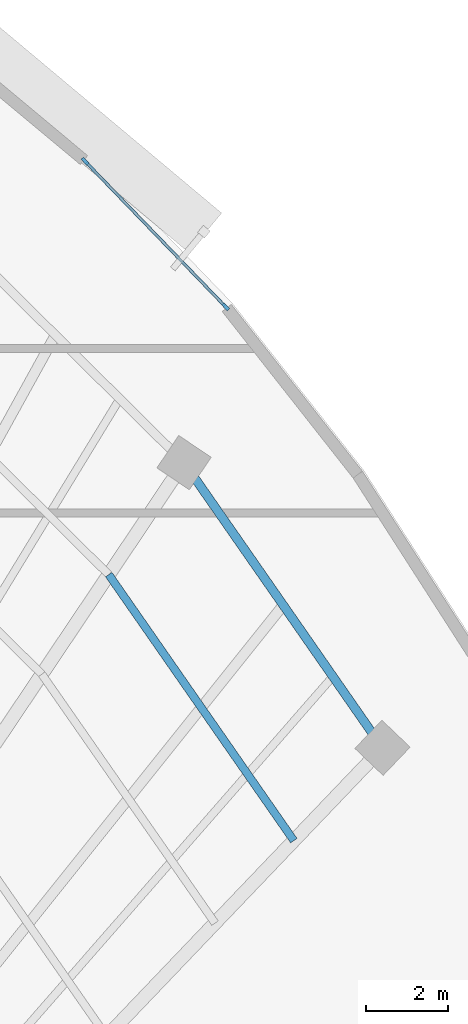
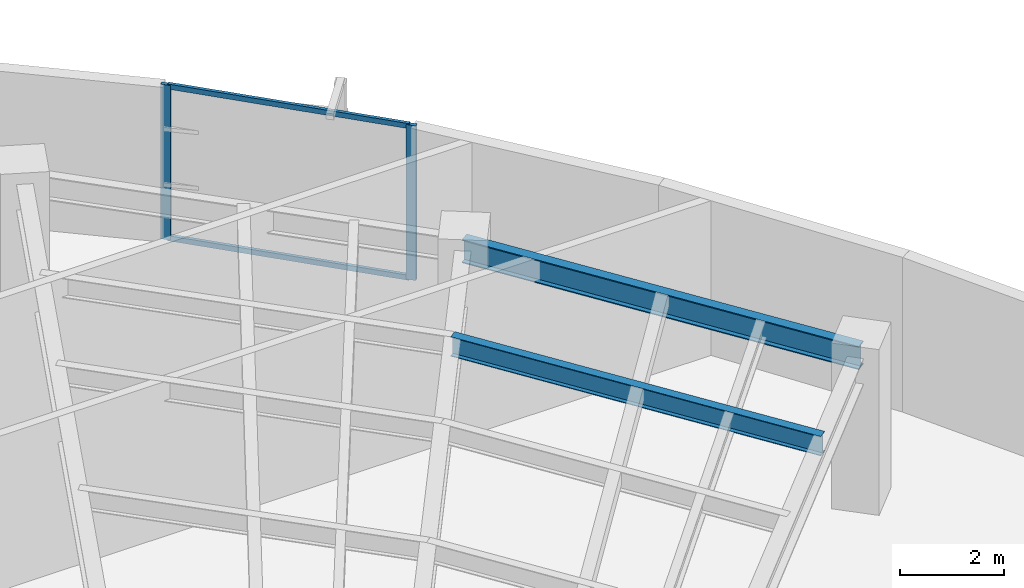
# One storey, part 6 of 14: 4 members, 2 beams, 1 element without a shape of its own.
"""IFC4 building model written with IfcOpenShell, lengths in metres."""

from ifc_helpers import new_model, si_unit, direction, frame, origin, origin_2d, place, context, subcontext, project, spatial, rectangle, i_section, extrude, source, transform, mapped, material, layer, layer_set, material_profile, profile_set, type_object, element, aggregate, save


model = new_model("IFC4")

# Units and contexts
model_context = context("Model", 3, precision=1e-05, world=origin(), true_north=direction((0.0, 1.0)))
body_context = subcontext(model_context, "Body", "Model", "MODEL_VIEW")
ifc_project = project(units=[si_unit("LENGTHUNIT", "METRE"), si_unit("AREAUNIT", "SQUARE_METRE"), si_unit("VOLUMEUNIT", "CUBIC_METRE"), si_unit("PLANEANGLEUNIT", "RADIAN"), si_unit("MASSUNIT", "GRAM", prefix="KILO")], contexts=[model_context])

# Site, building, storey
site_placement = place(None, origin())
site = spatial("IfcSite", under=ifc_project, at=site_placement, CompositionType="ELEMENT")
building_placement = place(site_placement, origin())
building = spatial("IfcBuilding", under=site, at=building_placement, Name="Breltana Convention Tower", CompositionType="ELEMENT")
storey_placement = place(building_placement, frame((0.0, 0.0, 215.699951171875)))
storey = spatial("IfcBuildingStorey", under=building, at=storey_placement, Name="L52", CompositionType="ELEMENT", Elevation=215.699951171875)

# Beams
ifc_material_1 = material(Name="Steel ASTM A992 Grade 50", Category="steel")
ifc_material_profile_1 = material_profile(ifc_material_1, i_section(OverallWidth=0.19091796875, OverallDepth=0.4599609375, WebThickness=0.010009765625, FlangeThickness=0.01611328125, at=origin_2d()), Name="W18X55")
ifc_profile_set_1 = profile_set([ifc_material_profile_1], Name="Steel ASTM A992 Grade 50")
beam_type_1 = type_object("IfcBeamType", Name="BM-JSG-07", PredefinedType="JOIST", material=ifc_profile_set_1)
shared_shape_1 = source(origin(), body_context, "Body", "SweptSolid", [
    extrude(i_section(OverallWidth=0.19091796875, OverallDepth=0.4599609375, WebThickness=0.010009765625, FlangeThickness=0.01611328125, at=origin_2d()), origin(), (0.0, 0.0, 1.0), 7.88037109375),
])
beam_1_placement = place(storey_placement, frame((73.3359375, 59.70556640625, 3.41015625), z_axis=(0.571197916304, -0.820812366141, 0.0), x_axis=(0.820812366141, 0.571197916304, 0.0)))
element("IfcBeam", 1, at=beam_1_placement, inside=storey, type_object=beam_type_1, Name="L52 Composite Floor Joist 10.4", PredefinedType="JOIST", context=body_context, shape_type="MappedRepresentation", body=[
    mapped(shared_shape_1, transform((0.0, 0.0, 0.0), scale=1.0)),
])
ifc_material_profile_2 = material_profile(ifc_material_1, i_section(OverallWidth=0.214111328125, OverallDepth=0.549072265625, WebThickness=0.0146484375, FlangeThickness=0.023681640625, at=origin_2d()), Name="W21X93")
ifc_profile_set_2 = profile_set([ifc_material_profile_2], Name="Steel ASTM A992 Grade 50")
beam_type_2 = type_object("IfcBeamType", Name="BM-SP-W21X93", PredefinedType="SPANDREL", material=ifc_profile_set_2)
shared_shape_2 = source(origin(), body_context, "Body", "SweptSolid", [
    extrude(i_section(OverallWidth=0.214111328125, OverallDepth=0.549072265625, WebThickness=0.0146484375, FlangeThickness=0.023681640625, at=origin_2d()), origin(), (0.0, 0.0, 1.0), 8.44970703125),
])
beam_2_placement = place(storey_placement, frame((75.166748046875, 62.43017578125, 3.365478515625), z_axis=(0.5711855381, -0.820820979913, 0.0), x_axis=(0.820820979913, 0.5711855381, 0.0)))
element("IfcBeam", 2, at=beam_2_placement, inside=storey, type_object=beam_type_2, Name="L52 Outer Spandrel Beam 10", PredefinedType="SPANDREL", context=body_context, shape_type="MappedRepresentation", body=[
    mapped(shared_shape_2, transform((0.0, 0.0, 0.0), scale=1.0)),
])

# Curtain wall, members
ifc_material_2 = material(Name="Aluminium Anodised Bronze Frame", Category="aluminium")
ifc_layer = layer(ifc_material_2, 0.219970703125, Name="Aluminium Anodised Bronze Frame")
ifc_layer_set = layer_set([ifc_layer], Name="Aluminium Anodised Bronze Frame")
curtain_wall_type = type_object("IfcCurtainWallType", Name="CW-SYS-4", PredefinedType="NOTDEFINED", material=ifc_layer_set)
curtain_wall_placement = place(storey_placement, origin())
curtain_wall = element("IfcCurtainWall", 3, at=curtain_wall_placement, inside=storey, type_object=curtain_wall_type, Name="L52 outer double-skin inner glazing 4", PredefinedType="NOTDEFINED")
ifc_material_3 = material(Name="Aluminium Anodised Bronze", Category="aluminium")
ifc_material_profile_3 = material_profile(ifc_material_3, rectangle(XDim=0.070068359375, YDim=0.1201171875, at=origin_2d()), Name="CWT-70X120")
ifc_profile_set_3 = profile_set([ifc_material_profile_3], Name="Aluminium Anodised Bronze")
member_type_1 = type_object("IfcMemberType", Name="CWT-120", PredefinedType="USERDEFINED", material=ifc_profile_set_3)
shared_shape_3 = source(origin(), body_context, "Body", "SweptSolid", [
    extrude(rectangle(XDim=0.070068359375, YDim=0.1201171875, at=origin_2d()), origin(), (0.0, 0.0, 1.0), 4.8408203125),
])
member_1_placement = place(storey_placement, frame((72.787353515625, 69.730224609375, 0.03515625), z_axis=(0.694617014344, -0.719379735178, 0.0), x_axis=(0.719379735178, 0.694617014344, 0.0)))
member_1 = element("IfcMember", 4, at=member_1_placement, type_object=member_type_1, Name="CW-04 transom 1.1", ObjectType="TRANSOM", PredefinedType="USERDEFINED", context=body_context, shape_type="MappedRepresentation", body=[
    mapped(shared_shape_3, transform((0.0, 0.0, 0.0), scale=1.0)),
])
member_2_placement = place(storey_placement, frame((72.787353515625, 69.730224609375, 3.60498046875), z_axis=(0.694617014344, -0.719379735178, 0.0), x_axis=(0.719379735178, 0.694617014344, 0.0)))
member_2 = element("IfcMember", 5, at=member_2_placement, type_object=member_type_1, Name="CW-04 transom 1.2", ObjectType="TRANSOM", PredefinedType="USERDEFINED", context=body_context, shape_type="MappedRepresentation", body=[
    mapped(shared_shape_3, transform((0.0, 0.0, 0.0), scale=1.0)),
])
ifc_material_profile_4 = material_profile(ifc_material_3, rectangle(XDim=0.080078125, YDim=0.199951171875, at=origin_2d()), Name="CWM-80X200")
ifc_profile_set_4 = profile_set([ifc_material_profile_4], Name="Aluminium Anodised Bronze")
member_type_2 = type_object("IfcMemberType", Name="CWM-200", PredefinedType="MULLION", material=ifc_profile_set_4)
shared_shape_4 = source(origin(), body_context, "Body", "SweptSolid", [
    extrude(rectangle(XDim=0.080078125, YDim=0.199951171875, at=origin_2d()), origin(), (0.0, 0.0, 1.0), 3.64013671875),
])
member_3_placement = place(storey_placement, frame((72.759765625, 69.759033203125, 0.0), z_axis=(0.0, 0.0, 1.0), x_axis=(0.719396292115, 0.694599866751, 0.0)))
member_3 = element("IfcMember", 6, at=member_3_placement, type_object=member_type_2, Name="CW-04 mullion 1", PredefinedType="MULLION", context=body_context, shape_type="MappedRepresentation", body=[
    mapped(shared_shape_4, transform((0.0, 0.0, 0.0), scale=1.0)),
])
member_4_placement = place(storey_placement, frame((76.177734375, 66.218994140625, 0.0), z_axis=(0.0, 0.0, 1.0), x_axis=(0.719396292115, 0.694599866751, 0.0)))
member_4 = element("IfcMember", 7, at=member_4_placement, type_object=member_type_2, Name="CW-04 mullion 2", PredefinedType="MULLION", context=body_context, shape_type="MappedRepresentation", body=[
    mapped(shared_shape_4, transform((0.0, 0.0, 0.0), scale=1.0)),
])
aggregate(curtain_wall, [member_3, member_4, member_1, member_2])

save(model, "model.ifc")
